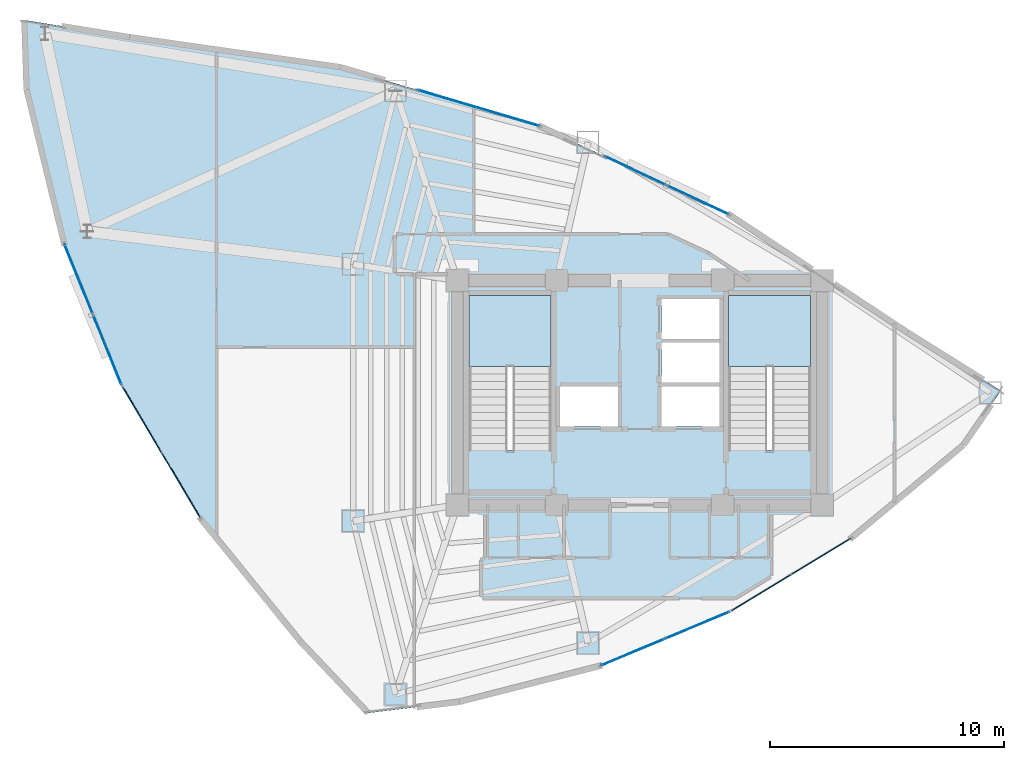
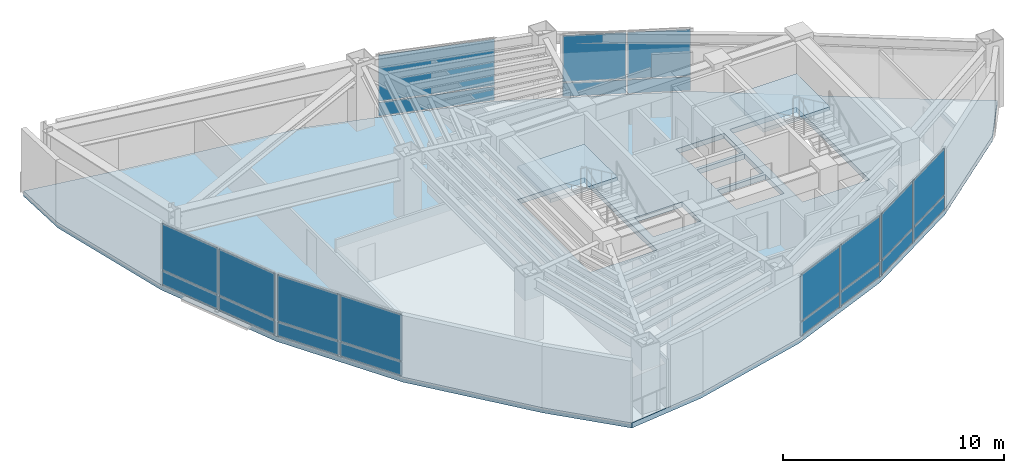
# One storey, part 11 of 16: 22 plates, 3 slabs, 8 elements without a shape of their own.
"""IFC4 building model written with IfcOpenShell, lengths in metres."""

from ifc_helpers import new_model, si_unit, direction, frame, origin, origin_2d, place, context, subcontext, project, spatial, polyline, rectangle, outline, extrude, material, layer, layer_set, type_object, element, aggregate, save


model = new_model("IFC4")

# Units and contexts
model_context = context("Model", 3, precision=1e-05, world=origin(), true_north=direction((0.0, 1.0)))
body_context = subcontext(model_context, "Body", "Model", "MODEL_VIEW")
ifc_project = project(units=[si_unit("LENGTHUNIT", "METRE"), si_unit("AREAUNIT", "SQUARE_METRE"), si_unit("VOLUMEUNIT", "CUBIC_METRE"), si_unit("PLANEANGLEUNIT", "RADIAN"), si_unit("MASSUNIT", "GRAM", prefix="KILO")], contexts=[model_context])

# Site, building, storey
site_placement = place(None, origin())
site = spatial("IfcSite", under=ifc_project, at=site_placement, CompositionType="ELEMENT")
building_placement = place(site_placement, origin())
building = spatial("IfcBuilding", under=site, at=building_placement, Name="Menara Vayukalpa", CompositionType="ELEMENT")
storey_placement = place(building_placement, frame((0.0, 0.0, 195.239990234375)))
storey = spatial("IfcBuildingStorey", under=building, at=storey_placement, Name="L49", CompositionType="ELEMENT", Elevation=195.239990234375)

# Curtain wall, plates
ifc_material_1 = material(Name="Anodised Terracotta Aluminium Alloy 6063-T6", Category="masonry")
ifc_layer_1 = layer(ifc_material_1, 0.179931640625)
ifc_layer_set_1 = layer_set([ifc_layer_1], Name="Anodised Terracotta Aluminium Alloy 6063-T6")
curtain_wall_type = type_object("IfcCurtainWallType", Name="CW-CW4", PredefinedType="USERDEFINED", material=ifc_layer_set_1)
curtain_wall_1_placement = place(storey_placement, origin())
curtain_wall_1 = element("IfcCurtainWall", 1, at=curtain_wall_1_placement, inside=storey, type_object=curtain_wall_type, Name="L49 Sky Bar Cantilever Glazed Curtain Wall CW4 05", ObjectType="UNITISED", PredefinedType="USERDEFINED")
ifc_material_2 = material(Name="Low-E Double Glazing", Category="glass")
ifc_layer_2 = layer(ifc_material_2, 0.0380859375)
ifc_layer_set_2 = layer_set([ifc_layer_2], Name="Low-E Double Glazing")
plate_type = type_object("IfcPlateType", Name="CWP-CW4", PredefinedType="CURTAIN_PANEL", material=ifc_layer_set_2)
plate_1_placement = place(storey_placement, frame((28.0751953125, 30.24462890625, 0.070068359375), z_axis=(0.0, 0.0, 1.0), x_axis=(-0.90578213551, 0.423743699648, 0.0)))
plate_1 = element("IfcPlate", 2, at=plate_1_placement, type_object=plate_type, Name="CW4 panel 1.1", PredefinedType="CURTAIN_PANEL", context=body_context, shape_type="SweptSolid", body=[
    extrude(rectangle(XDim=2.868896484375, YDim=0.0380859375, at=origin_2d()), origin(), (0.0, 0.0, 1.0), 0.7451171875),
])
plate_2_placement = place(storey_placement, frame((28.0751953125, 30.24462890625, 0.885009765625), z_axis=(0.0, 0.0, 1.0), x_axis=(-0.90578213551, 0.423743699648, 0.0)))
plate_2 = element("IfcPlate", 3, at=plate_2_placement, type_object=plate_type, Name="CW4 panel 1.2", PredefinedType="CURTAIN_PANEL", context=body_context, shape_type="SweptSolid", body=[
    extrude(rectangle(XDim=2.868896484375, YDim=0.0380859375, at=origin_2d()), origin(), (0.0, 0.0, 1.0), 2.544921875),
])
plate_3_placement = place(storey_placement, frame((25.40869140625, 31.4921875, 0.070068359375), z_axis=(0.0, 0.0, 1.0), x_axis=(-0.90578213551, 0.423743699648, 0.0)))
plate_3 = element("IfcPlate", 4, at=plate_3_placement, type_object=plate_type, Name="CW4 panel 2.1", PredefinedType="CURTAIN_PANEL", context=body_context, shape_type="SweptSolid", body=[
    extrude(rectangle(XDim=2.868896484375, YDim=0.0380859375, at=origin_2d()), origin(), (0.0, 0.0, 1.0), 0.7451171875),
])
plate_4_placement = place(storey_placement, frame((25.40869140625, 31.4921875, 0.885009765625), z_axis=(0.0, 0.0, 1.0), x_axis=(-0.90578213551, 0.423743699648, 0.0)))
plate_4 = element("IfcPlate", 5, at=plate_4_placement, type_object=plate_type, Name="CW4 panel 2.2", PredefinedType="CURTAIN_PANEL", context=body_context, shape_type="SweptSolid", body=[
    extrude(rectangle(XDim=2.868896484375, YDim=0.0380859375, at=origin_2d()), origin(), (0.0, 0.0, 1.0), 2.544921875),
])
aggregate(curtain_wall_1, [plate_1, plate_2, plate_3, plate_4])

curtain_wall_2_placement = place(storey_placement, origin())
curtain_wall_2 = element("IfcCurtainWall", 6, at=curtain_wall_2_placement, inside=storey, type_object=curtain_wall_type, Name="L49 Sky Bar Cantilever Glazed Curtain Wall CW4 07", ObjectType="UNITISED", PredefinedType="USERDEFINED")
plate_5_placement = place(storey_placement, frame((18.702880859375, 34.17236328125, 0.070068359375), z_axis=(0.0, 0.0, 1.0), x_axis=(-0.958855725645, 0.283893813595, 0.0)))
plate_5 = element("IfcPlate", 7, at=plate_5_placement, type_object=plate_type, Name="CW4 panel 1.1", PredefinedType="CURTAIN_PANEL", context=body_context, shape_type="SweptSolid", body=[
    extrude(rectangle(XDim=5.39892578125, YDim=0.0380859375, at=origin_2d()), origin(), (0.0, 0.0, 1.0), 0.7451171875),
])
plate_6_placement = place(storey_placement, frame((18.702880859375, 34.17236328125, 0.885009765625), z_axis=(0.0, 0.0, 1.0), x_axis=(-0.958855725645, 0.283893813595, 0.0)))
plate_6 = element("IfcPlate", 8, at=plate_6_placement, type_object=plate_type, Name="CW4 panel 1.2", PredefinedType="CURTAIN_PANEL", context=body_context, shape_type="SweptSolid", body=[
    extrude(rectangle(XDim=5.39892578125, YDim=0.0380859375, at=origin_2d()), origin(), (0.0, 0.0, 1.0), 2.544921875),
])
aggregate(curtain_wall_2, [plate_5, plate_6])

curtain_wall_3_placement = place(storey_placement, origin())
curtain_wall_3 = element("IfcCurtainWall", 9, at=curtain_wall_3_placement, inside=storey, type_object=curtain_wall_type, Name="L49 Sky Bar Cantilever Glazed Curtain Wall CW4 13", ObjectType="UNITISED", PredefinedType="USERDEFINED")
plate_7_placement = place(storey_placement, frame((1.60888671875, 26.853271484375, 0.070068359375), z_axis=(0.0, 0.0, 1.0), x_axis=(0.376092351793, -0.926582183577, 0.0)))
plate_7 = element("IfcPlate", 10, at=plate_7_placement, type_object=plate_type, Name="CW4 panel 1.1", PredefinedType="CURTAIN_PANEL", context=body_context, shape_type="SweptSolid", body=[
    extrude(rectangle(XDim=3.18994140625, YDim=0.0380859375, at=origin_2d()), origin(), (0.0, 0.0, 1.0), 0.7451171875),
])
plate_8_placement = place(storey_placement, frame((1.60888671875, 26.853271484375, 0.885009765625), z_axis=(0.0, 0.0, 1.0), x_axis=(0.376092351793, -0.926582183577, 0.0)))
plate_8 = element("IfcPlate", 11, at=plate_8_placement, type_object=plate_type, Name="CW4 panel 1.2", PredefinedType="CURTAIN_PANEL", context=body_context, shape_type="SweptSolid", body=[
    extrude(rectangle(XDim=3.18994140625, YDim=0.0380859375, at=origin_2d()), origin(), (0.0, 0.0, 1.0), 2.544921875),
])
plate_9_placement = place(storey_placement, frame((2.8369140625, 23.827880859375, 0.070068359375), z_axis=(0.0, 0.0, 1.0), x_axis=(0.376092351793, -0.926582183577, 0.0)))
plate_9 = element("IfcPlate", 12, at=plate_9_placement, type_object=plate_type, Name="CW4 panel 2.1", PredefinedType="CURTAIN_PANEL", context=body_context, shape_type="SweptSolid", body=[
    extrude(rectangle(XDim=3.18994140625, YDim=0.0380859375, at=origin_2d()), origin(), (0.0, 0.0, 1.0), 0.7451171875),
])
plate_10_placement = place(storey_placement, frame((2.8369140625, 23.827880859375, 0.885009765625), z_axis=(0.0, 0.0, 1.0), x_axis=(0.376092351793, -0.926582183577, 0.0)))
plate_10 = element("IfcPlate", 13, at=plate_10_placement, type_object=plate_type, Name="CW4 panel 2.2", PredefinedType="CURTAIN_PANEL", context=body_context, shape_type="SweptSolid", body=[
    extrude(rectangle(XDim=3.18994140625, YDim=0.0380859375, at=origin_2d()), origin(), (0.0, 0.0, 1.0), 2.544921875),
])
aggregate(curtain_wall_3, [plate_7, plate_8, plate_9, plate_10])

curtain_wall_4_placement = place(storey_placement, origin())
curtain_wall_4 = element("IfcCurtainWall", 14, at=curtain_wall_4_placement, inside=storey, type_object=curtain_wall_type, Name="L49 Sky Bar Cantilever Glazed Curtain Wall CW4 14", ObjectType="UNITISED", PredefinedType="USERDEFINED")
plate_11_placement = place(storey_placement, frame((4.31689453125, 20.84423828125, 0.070068359375), z_axis=(0.0, 0.0, 1.0), x_axis=(0.510091625634, -0.86012006921, 0.0)))
plate_11 = element("IfcPlate", 15, at=plate_11_placement, type_object=plate_type, Name="CW4 panel 1.1", PredefinedType="CURTAIN_PANEL", context=body_context, shape_type="SweptSolid", body=[
    extrude(rectangle(XDim=3.18994140625, YDim=0.0380859375, at=origin_2d()), origin(), (0.0, 0.0, 1.0), 0.7451171875),
])
plate_12_placement = place(storey_placement, frame((4.31689453125, 20.84423828125, 0.885009765625), z_axis=(0.0, 0.0, 1.0), x_axis=(0.510091625634, -0.86012006921, 0.0)))
plate_12 = element("IfcPlate", 16, at=plate_12_placement, type_object=plate_type, Name="CW4 panel 1.2", PredefinedType="CURTAIN_PANEL", context=body_context, shape_type="SweptSolid", body=[
    extrude(rectangle(XDim=3.18994140625, YDim=0.0380859375, at=origin_2d()), origin(), (0.0, 0.0, 1.0), 2.544921875),
])
plate_13_placement = place(storey_placement, frame((5.982177734375, 18.035888671875, 0.070068359375), z_axis=(0.0, 0.0, 1.0), x_axis=(0.510091625634, -0.86012006921, 0.0)))
plate_13 = element("IfcPlate", 17, at=plate_13_placement, type_object=plate_type, Name="CW4 panel 2.1", PredefinedType="CURTAIN_PANEL", context=body_context, shape_type="SweptSolid", body=[
    extrude(rectangle(XDim=3.18994140625, YDim=0.0380859375, at=origin_2d()), origin(), (0.0, 0.0, 1.0), 0.7451171875),
])
plate_14_placement = place(storey_placement, frame((5.982177734375, 18.035888671875, 0.885009765625), z_axis=(0.0, 0.0, 1.0), x_axis=(0.510091625634, -0.86012006921, 0.0)))
plate_14 = element("IfcPlate", 18, at=plate_14_placement, type_object=plate_type, Name="CW4 panel 2.2", PredefinedType="CURTAIN_PANEL", context=body_context, shape_type="SweptSolid", body=[
    extrude(rectangle(XDim=3.18994140625, YDim=0.0380859375, at=origin_2d()), origin(), (0.0, 0.0, 1.0), 2.544921875),
])
aggregate(curtain_wall_4, [plate_11, plate_12, plate_13, plate_14])

curtain_wall_5_placement = place(storey_placement, origin())
curtain_wall_5 = element("IfcCurtainWall", 19, at=curtain_wall_5_placement, inside=storey, type_object=curtain_wall_type, Name="L49 Sky Bar Cantilever Glazed Curtain Wall CW4 19", ObjectType="UNITISED", PredefinedType="USERDEFINED")
plate_15_placement = place(storey_placement, frame((25.3046875, 10.90380859375, 0.070068359375), z_axis=(0.0, 0.0, 1.0), x_axis=(0.922539431351, 0.385902834406, 0.0)))
plate_15 = element("IfcPlate", 20, at=plate_15_placement, type_object=plate_type, Name="CW4 panel 1.1", PredefinedType="CURTAIN_PANEL", context=body_context, shape_type="SweptSolid", body=[
    extrude(rectangle(XDim=2.919921875, YDim=0.0380859375, at=origin_2d()), origin(), (0.0, 0.0, 1.0), 0.7451171875),
])
plate_16_placement = place(storey_placement, frame((25.3046875, 10.90380859375, 0.885009765625), z_axis=(0.0, 0.0, 1.0), x_axis=(0.922539431351, 0.385902834406, 0.0)))
plate_16 = element("IfcPlate", 21, at=plate_16_placement, type_object=plate_type, Name="CW4 panel 1.2", PredefinedType="CURTAIN_PANEL", context=body_context, shape_type="SweptSolid", body=[
    extrude(rectangle(XDim=2.919921875, YDim=0.0380859375, at=origin_2d()), origin(), (0.0, 0.0, 1.0), 2.544921875),
])
plate_17_placement = place(storey_placement, frame((28.067626953125, 12.0595703125, 0.070068359375), z_axis=(0.0, 0.0, 1.0), x_axis=(0.922539431351, 0.385902834406, 0.0)))
plate_17 = element("IfcPlate", 22, at=plate_17_placement, type_object=plate_type, Name="CW4 panel 2.1", PredefinedType="CURTAIN_PANEL", context=body_context, shape_type="SweptSolid", body=[
    extrude(rectangle(XDim=2.919921875, YDim=0.0380859375, at=origin_2d()), origin(), (0.0, 0.0, 1.0), 0.7451171875),
])
plate_18_placement = place(storey_placement, frame((28.067626953125, 12.0595703125, 0.885009765625), z_axis=(0.0, 0.0, 1.0), x_axis=(0.922539431351, 0.385902834406, 0.0)))
plate_18 = element("IfcPlate", 23, at=plate_18_placement, type_object=plate_type, Name="CW4 panel 2.2", PredefinedType="CURTAIN_PANEL", context=body_context, shape_type="SweptSolid", body=[
    extrude(rectangle(XDim=2.919921875, YDim=0.0380859375, at=origin_2d()), origin(), (0.0, 0.0, 1.0), 2.544921875),
])
aggregate(curtain_wall_5, [plate_15, plate_16, plate_17, plate_18])

curtain_wall_6_placement = place(storey_placement, origin())
curtain_wall_6 = element("IfcCurtainWall", 24, at=curtain_wall_6_placement, inside=storey, type_object=curtain_wall_type, Name="L49 Sky Bar Cantilever Glazed Curtain Wall CW4 20", ObjectType="UNITISED", PredefinedType="USERDEFINED")
plate_19_placement = place(storey_placement, frame((30.795654296875, 13.44873046875, 0.070068359375), z_axis=(0.0, 0.0, 1.0), x_axis=(0.854664974832, 0.519179911779, 0.0)))
plate_19 = element("IfcPlate", 25, at=plate_19_placement, type_object=plate_type, Name="CW4 panel 1.1", PredefinedType="CURTAIN_PANEL", context=body_context, shape_type="SweptSolid", body=[
    extrude(rectangle(XDim=2.919921875, YDim=0.0380859375, at=origin_2d()), origin(), (0.0, 0.0, 1.0), 0.7451171875),
])
plate_20_placement = place(storey_placement, frame((30.795654296875, 13.44873046875, 0.885009765625), z_axis=(0.0, 0.0, 1.0), x_axis=(0.854664974832, 0.519179911779, 0.0)))
plate_20 = element("IfcPlate", 26, at=plate_20_placement, type_object=plate_type, Name="CW4 panel 1.2", PredefinedType="CURTAIN_PANEL", context=body_context, shape_type="SweptSolid", body=[
    extrude(rectangle(XDim=2.919921875, YDim=0.0380859375, at=origin_2d()), origin(), (0.0, 0.0, 1.0), 2.544921875),
])
plate_21_placement = place(storey_placement, frame((33.35546875, 15.003662109375, 0.070068359375), z_axis=(0.0, 0.0, 1.0), x_axis=(0.854664974832, 0.519179911779, 0.0)))
plate_21 = element("IfcPlate", 27, at=plate_21_placement, type_object=plate_type, Name="CW4 panel 2.1", PredefinedType="CURTAIN_PANEL", context=body_context, shape_type="SweptSolid", body=[
    extrude(rectangle(XDim=2.919921875, YDim=0.0380859375, at=origin_2d()), origin(), (0.0, 0.0, 1.0), 0.7451171875),
])
plate_22_placement = place(storey_placement, frame((33.35546875, 15.003662109375, 0.885009765625), z_axis=(0.0, 0.0, 1.0), x_axis=(0.854664974832, 0.519179911779, 0.0)))
plate_22 = element("IfcPlate", 28, at=plate_22_placement, type_object=plate_type, Name="CW4 panel 2.2", PredefinedType="CURTAIN_PANEL", context=body_context, shape_type="SweptSolid", body=[
    extrude(rectangle(XDim=2.919921875, YDim=0.0380859375, at=origin_2d()), origin(), (0.0, 0.0, 1.0), 2.544921875),
])
aggregate(curtain_wall_6, [plate_19, plate_20, plate_21, plate_22])

# Slab
ifc_material_3 = material(Name="Concrete C40/50", Category="concrete")
ifc_layer_3 = layer(ifc_material_3, 0.280029296875)
ifc_layer_set_3 = layer_set([ifc_layer_3], Name="Concrete C40/50")
slab_type_1 = type_object("IfcSlabType", Name="SLB-FL280", PredefinedType="FLOOR", material=ifc_layer_set_3)
slab_1_placement = place(storey_placement, frame((0.0, 0.0, -0.280029296875)))
element("IfcSlab", 29, at=slab_1_placement, inside=storey, type_object=slab_type_1, Name="L49 Sky Bar Structural Floor Slab", PredefinedType="FLOOR", context=body_context, shape_type="SweptSolid", body=[
    extrude(outline(polyline([(39.439208984375, 19.7578125), (41.042724609375, 22.083984375), (37.04833984375, 24.578125), (29.4423828125, 29.60498046875), (21.36328125, 33.384765625), (12.810546875, 35.9169921875), (3.784423828125, 37.201904296875), (-0.712890625, 37.930419921875), (-0.6181640625, 34.959716796875), (0.98095703125, 28.400634765625), (3.465087890625, 22.280517578125), (6.833984375, 16.599609375), (11.08837890625, 11.357421875), (13.982177734375, 8.302978515625), (17.881591796875, 8.779296875), (23.888671875, 10.311279296875), (29.48388671875, 12.65185546875), (34.667236328125, 15.80078125), (39.439208984375, 19.7578125)]), holes=[polyline([(21.800048828125, 19.550048828125), (21.800048828125, 26.14990234375), (18.300048828125, 26.14990234375), (18.300048828125, 19.550048828125), (21.800048828125, 19.550048828125)]), polyline([(32.89990234375, 19.550048828125), (32.89990234375, 26.14990234375), (29.39990234375, 26.14990234375), (29.39990234375, 19.550048828125), (32.89990234375, 19.550048828125)]), polyline([(22.179931640625, 20.550048828125), (24.679931640625, 20.550048828125), (24.679931640625, 22.27001953125), (22.179931640625, 22.27001953125), (22.179931640625, 20.550048828125)]), polyline([(26.52001953125, 20.550048828125), (29.02001953125, 20.550048828125), (29.02001953125, 22.27001953125), (26.52001953125, 22.27001953125), (26.52001953125, 20.550048828125)]), polyline([(26.52001953125, 24.2900390625), (29.02001953125, 24.2900390625), (29.02001953125, 26.010009765625), (26.52001953125, 26.010009765625), (26.52001953125, 24.2900390625)]), polyline([(26.52001953125, 22.419921875), (29.02001953125, 22.419921875), (29.02001953125, 24.139892578125), (26.52001953125, 24.139892578125), (26.52001953125, 22.419921875)])]), origin(), (0.0, 0.0, 1.0), 0.280029296875),
])

# Stair, slab
ifc_material_4 = material(Name="Precast Concrete C40/50", Category="concrete")
stair_type = type_object("IfcStairType", Name="STR-T04", PredefinedType="DOUBLE_RETURN_STAIR", material=ifc_material_4)
stair_1_placement = place(storey_placement, origin())
stair_1 = element("IfcStair", 30, at=stair_1_placement, inside=storey, type_object=stair_type, Name="L49 Core Exit Stair ST-1", PredefinedType="DOUBLE_RETURN_STAIR")
ifc_material_5 = material(Name="Precast Concrete C40/50", Category="concrete")
ifc_layer_4 = layer(ifc_material_5, 0.199951171875)
ifc_layer_set_4 = layer_set([ifc_layer_4], Name="Precast Concrete C40/50")
slab_type_2 = type_object("IfcSlabType", Name="SLB-LND200", PredefinedType="LANDING", material=ifc_layer_set_4)
slab_2_placement = place(storey_placement, frame((0.0, 0.0, 1.659912109375)))
slab_2 = element("IfcSlab", 31, at=slab_2_placement, type_object=slab_type_2, Name="ST-1 landing 1", PredefinedType="LANDING", context=body_context, shape_type="SweptSolid", body=[
    extrude(outline(polyline([(21.800048828125, 23.1298828125), (21.800048828125, 26.14990234375), (18.300048828125, 26.14990234375), (18.300048828125, 23.1298828125), (21.800048828125, 23.1298828125)])), origin(), (0.0, 0.0, 1.0), 0.2001953125),
])
aggregate(stair_1, [slab_2])

stair_2_placement = place(storey_placement, origin())
stair_2 = element("IfcStair", 32, at=stair_2_placement, inside=storey, type_object=stair_type, Name="L49 Core Exit Stair ST-2", PredefinedType="DOUBLE_RETURN_STAIR")
slab_3_placement = place(storey_placement, frame((0.0, 0.0, 1.659912109375)))
slab_3 = element("IfcSlab", 33, at=slab_3_placement, type_object=slab_type_2, Name="ST-2 landing 1", PredefinedType="LANDING", context=body_context, shape_type="SweptSolid", body=[
    extrude(outline(polyline([(32.89990234375, 23.1298828125), (32.89990234375, 26.14990234375), (29.39990234375, 26.14990234375), (29.39990234375, 23.1298828125), (32.89990234375, 23.1298828125)])), origin(), (0.0, 0.0, 1.0), 0.2001953125),
])
aggregate(stair_2, [slab_3])

save(model, "model.ifc")
